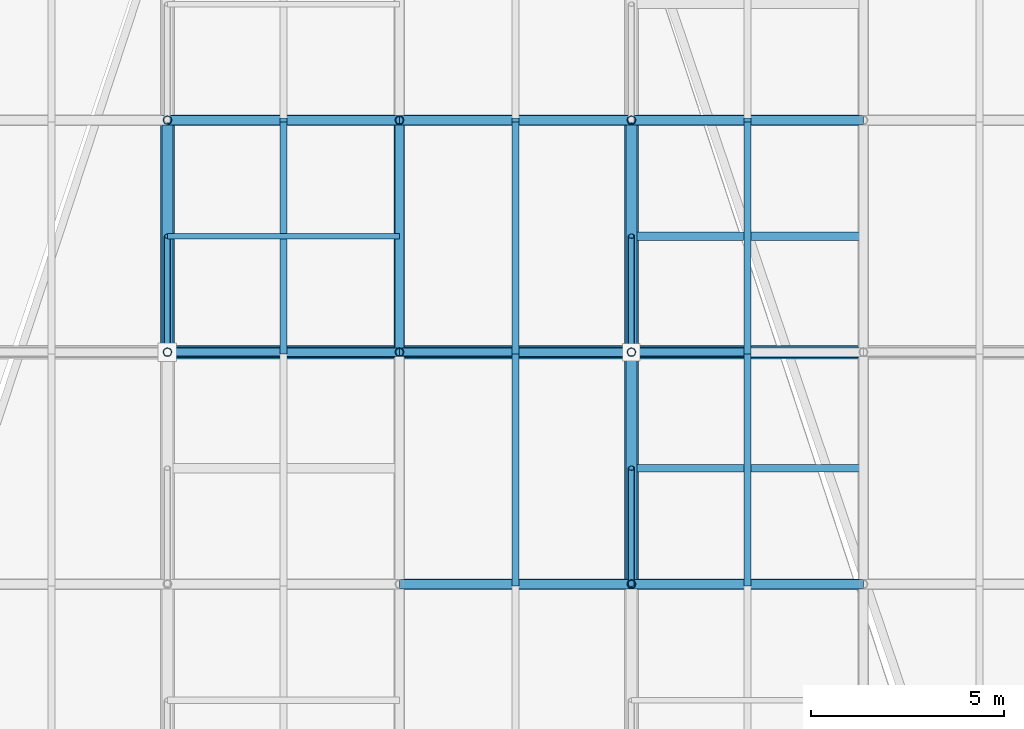
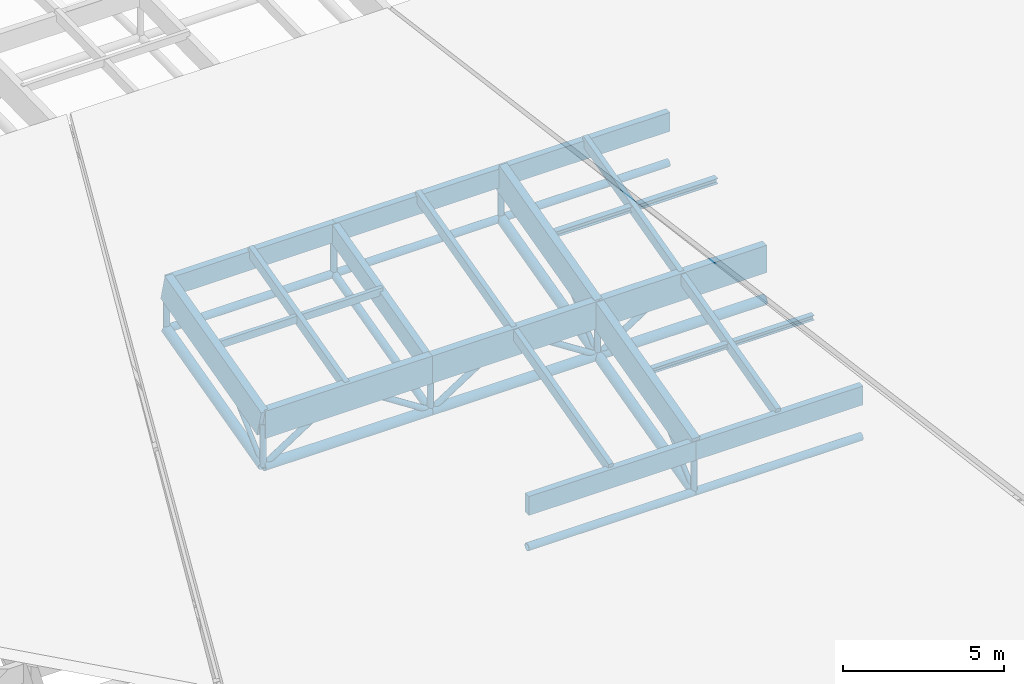
# One storey, part 13 of 80: 47 members.
"""IFC4 building model written with IfcOpenShell, lengths in metres."""

import ifcopenshell
import ifcopenshell.guid

model = None  # the IFC model being written
_history = None  # IfcOwnerHistory: only IFC2X3 demands one
_inside = {}  # id of a spatial element -> (the spatial element, [elements in it])
_under = {}  # id of a project, library or spatial element -> (it, [spatial elements below it])
_declared = {}  # id of a project -> (the project, [libraries it declares])
_typed = {}  # id of a type object -> (the type object, [elements of that type])
_made_of = {}  # id of a material, layer set ... -> (it, [elements and type objects made of it])


def new_model(schema):
    """Start an empty IFC model of exactly this schema.

    Asked for "IFC4X3", IfcOpenShell would pick the latest addendum, in which some entities
    have other attributes; the version numbers below select the first issue.
    IFC2X3 requires an IfcOwnerHistory on every rooted entity: one is made here for all.
    """
    global model, _history
    if schema == "IFC4X3":
        model = ifcopenshell.file(schema_version=(4, 3, 0, 0))
    else:
        model = ifcopenshell.file(schema=schema)
    _inside.clear()
    _under.clear()
    _declared.clear()
    _typed.clear()
    _made_of.clear()
    _history = None
    if model.schema == "IFC2X3":
        org = make("IfcOrganization", Name="unknown")
        user = make(
            "IfcPersonAndOrganization",
            ThePerson=make("IfcPerson", FamilyName="unknown"),
            TheOrganization=org,
        )
        app = make(
            "IfcApplication",
            ApplicationDeveloper=org,
            Version="unknown",
            ApplicationFullName="unknown",
            ApplicationIdentifier="unknown",
        )
        _history = make(
            "IfcOwnerHistory",
            OwningUser=user,
            OwningApplication=app,
            ChangeAction="ADDED",
            CreationDate=0,
        )
    return model


def make(cls, **values):
    """One entity of the class cls with the attributes given. An attribute that is None is left unset."""
    return model.create_entity(
        cls, **{name: value for name, value in values.items() if value is not None}
    )


def rooted(cls, **values):
    """An entity with a GlobalId (a new one), such as an element, a storey or a relation."""
    return make(cls, GlobalId=ifcopenshell.guid.new(), OwnerHistory=_history, **values)


def si_unit(unit_type, name, prefix=None):
    """IfcSIUnit, for example si_unit("LENGTHUNIT", "METRE", prefix="MILLI")."""
    return make("IfcSIUnit", UnitType=unit_type, Prefix=prefix, Name=name)


def assignment(units):
    """IfcUnitAssignment: the units of a project."""
    return None if units is None else make("IfcUnitAssignment", Units=units)


def point(xyz):
    """IfcCartesianPoint."""
    return None if xyz is None else make("IfcCartesianPoint", Coordinates=xyz)


def direction(xyz):
    """IfcDirection."""
    return None if xyz is None else make("IfcDirection", DirectionRatios=xyz)


def frame(location, z_axis=None, x_axis=None):
    """IfcAxis2Placement3D, a coordinate frame: its origin and axes. An axis left out is left unset."""
    return make(
        "IfcAxis2Placement3D",
        Location=point(location),
        Axis=direction(z_axis),
        RefDirection=direction(x_axis),
    )


def frame_2d(location, x_axis=None):
    """IfcAxis2Placement2D, a coordinate frame in the plane: its origin and x axis."""
    return make(
        "IfcAxis2Placement2D", Location=point(location), RefDirection=direction(x_axis)
    )


def origin():
    """The frame at (0, 0, 0) with its axes left unset."""
    return frame((0.0, 0.0, 0.0))


def origin_2d():
    """The frame at (0, 0) in the plane with its x axis left unset."""
    return frame_2d((0.0, 0.0))


def place(relative_to, where):
    """IfcLocalPlacement: puts the frame where relative to a parent placement (None: the world)."""
    return make(
        "IfcLocalPlacement", PlacementRelTo=relative_to, RelativePlacement=where
    )


def context(
    kind, dimensions, precision=None, world=None, true_north=None, identifier=None
):
    """IfcGeometricRepresentationContext, for example the 3D "Model" context."""
    return make(
        "IfcGeometricRepresentationContext",
        ContextIdentifier=identifier,
        ContextType=kind,
        CoordinateSpaceDimension=dimensions,
        Precision=precision,
        WorldCoordinateSystem=world,
        TrueNorth=true_north,
    )


def subcontext(parent, identifier, kind, view, scale=None):
    """IfcGeometricRepresentationSubContext, for example "Body" below "Model"."""
    return make(
        "IfcGeometricRepresentationSubContext",
        ContextIdentifier=identifier,
        ContextType=kind,
        ParentContext=parent,
        TargetScale=scale,
        TargetView=view,
    )


def project(units=None, contexts=None):
    """IfcProject with its units and contexts."""
    return rooted(
        "IfcProject",
        Name="project",
        RepresentationContexts=contexts,
        UnitsInContext=assignment(units),
    )


def spatial(cls, under=None, at=None, **own):
    """A site, building, storey or space (cls), placed at a placement, below another one or the project."""
    s = rooted(cls, ObjectPlacement=at, **own)
    if under is not None:
        _under.setdefault(under.id(), (under, []))[1].append(s)
    return s


def profile(cls, at=None, kind="AREA", **sizes):
    """A parametric profile (cls). Its sizes go by their IFC names, for example OverallWidth=200.0."""
    return make(cls, ProfileType=kind, Position=at, **sizes)


def rectangle(**sizes):
    """IfcRectangleProfileDef."""
    return profile("IfcRectangleProfileDef", **sizes)


def hollow_circle(**sizes):
    """IfcCircleHollowProfileDef."""
    return profile("IfcCircleHollowProfileDef", **sizes)


def i_section(**sizes):
    """IfcIShapeProfileDef."""
    return profile("IfcIShapeProfileDef", **sizes)


def extrude(swept, where, along, depth):
    """IfcExtrudedAreaSolid: the profile swept, set in the frame where, extruded along a direction by depth."""
    return make(
        "IfcExtrudedAreaSolid",
        SweptArea=swept,
        Position=where,
        ExtrudedDirection=direction(along),
        Depth=depth,
    )


def shape(context_of_items, identifier, shape_type, items):
    """IfcShapeRepresentation: the items that make up one representation, for example the "Body"."""
    return make(
        "IfcShapeRepresentation",
        ContextOfItems=context_of_items,
        RepresentationIdentifier=identifier,
        RepresentationType=shape_type,
        Items=items,
    )


def material(Name=None, Category=None):
    """IfcMaterial."""
    return make("IfcMaterial", Name=Name, Category=Category)


def material_profile(
    of_material, cross_section, Name=None, Category=None, Priority=None
):
    """IfcMaterialProfile: a cross section and its material."""
    return make(
        "IfcMaterialProfile",
        Name=Name,
        Material=of_material,
        Profile=cross_section,
        Priority=Priority,
        Category=Category,
    )


def profile_set(profiles, Name=None, composite=None):
    """IfcMaterialProfileSet."""
    return make(
        "IfcMaterialProfileSet",
        Name=Name,
        MaterialProfiles=profiles,
        CompositeProfile=composite,
    )


def made_of(thing, what):
    """Note that an element or type object is made of a material, layer set ...; save() writes the relation."""
    if what is not None:
        _made_of.setdefault(what.id(), (what, []))[1].append(thing)
    return thing


def type_object(cls, material=None, **own):
    """A type object (cls), such as IfcWallType, which elements share."""
    return made_of(rooted(cls, **own), material)


def element(
    cls,
    number,
    at=None,
    inside=None,
    cuts=None,
    type_object=None,
    material=None,
    context=None,
    identifier="Body",
    shape_type=None,
    held_by="IfcProductDefinitionShape",
    body=None,
    shapes=None,
    **own,
):
    """One element of the class cls, such as IfcWall. Its Tag is "e" and its number.

    at: its placement. inside: the storey or other place that contains it. cuts: it is an
    opening in that element (IfcRelVoidsElement). A single representation is given by context,
    identifier, shape_type and body (its items); several are given by shapes. held_by: the class
    of the entity that holds the representations. save() writes the other relations.
    """
    e = rooted(cls, Tag="e%d" % number, ObjectPlacement=at, **own)
    if body is not None:
        shapes = [shape(context, identifier, shape_type, body)]
    if shapes is not None:
        e.Representation = make(held_by, Representations=shapes)
    if inside is not None:
        _inside.setdefault(inside.id(), (inside, []))[1].append(e)
    if cuts is not None:
        rooted(
            "IfcRelVoidsElement", RelatingBuildingElement=cuts, RelatedOpeningElement=e
        )
    if type_object is not None:
        _typed.setdefault(type_object.id(), (type_object, []))[1].append(e)
    return made_of(e, material)


def aggregate(whole, parts):
    """IfcRelAggregates: a whole, such as a stair, and the parts it consists of."""
    return rooted("IfcRelAggregates", RelatingObject=whole, RelatedObjects=parts)


def save(model, path):
    """Write the relations noted so far, then the file.

    IfcRelAggregates (storeys below a building ...), IfcRelContainedInSpatialStructure (elements
    in a storey), IfcRelDefinesByType, IfcRelAssociatesMaterial and IfcRelDeclares: one each for
    every whole, place, type object, material and project.
    """
    for whole, parts in _under.values():
        aggregate(whole, parts)
    for where, things in _inside.values():
        rooted(
            "IfcRelContainedInSpatialStructure",
            RelatedElements=things,
            RelatingStructure=where,
        )
    for kind, things in _typed.values():
        rooted("IfcRelDefinesByType", RelatedObjects=things, RelatingType=kind)
    for what, things in _made_of.values():
        rooted("IfcRelAssociatesMaterial", RelatedObjects=things, RelatingMaterial=what)
    for by, libraries in _declared.values():
        rooted("IfcRelDeclares", RelatingContext=by, RelatedDefinitions=libraries)
    model.write(path)


model = new_model("IFC4")

# Units and contexts
model_context = context("Model", 3, precision=1e-05, world=origin(), true_north=direction((0.0, 1.0)))
body_context = subcontext(model_context, "Body", "Model", "MODEL_VIEW")
ifc_project = project(units=[si_unit("LENGTHUNIT", "METRE"), si_unit("AREAUNIT", "SQUARE_METRE"), si_unit("VOLUMEUNIT", "CUBIC_METRE"), si_unit("PLANEANGLEUNIT", "RADIAN"), si_unit("MASSUNIT", "GRAM", prefix="KILO"), si_unit("THERMODYNAMICTEMPERATUREUNIT", "KELVIN"), si_unit("POWERUNIT", "WATT")], contexts=[model_context])

# Site, building, storey
site_placement = place(None, origin())
site = spatial("IfcSite", under=ifc_project, at=site_placement, CompositionType="ELEMENT")
building_placement = place(site_placement, origin())
building = spatial("IfcBuilding", under=site, at=building_placement, Name="Solmara Park Aquatics Centre", CompositionType="ELEMENT")
storey_placement = place(building_placement, frame((0.0, 0.0, 22.800048828125)))
storey = spatial("IfcBuildingStorey", under=building, at=storey_placement, Name="RF", CompositionType="ELEMENT", Elevation=22.800048828125)

# Members
ifc_material_1 = material(Name="Structural Steel S355", Category="steel")
ifc_material_profile_1 = material_profile(ifc_material_1, hollow_circle(Radius=0.084228515625, WallThickness=0.008056640625, at=origin_2d()), Name="CHS 168.3x8")
ifc_profile_set_1 = profile_set([ifc_material_profile_1], Name="Structural Steel S355")
member_type_1 = type_object("IfcMemberType", Name="STR-BRC-CHS168", PredefinedType="BRACE", material=ifc_profile_set_1)
for number, where, z_axis, x_axis, name in (
    (1, (60.60009765625, 18.60009765625, -9.58984375), (0.0, 0.736437262703, 0.67650584484), (-1.0, 0.0, 0.0), "Roof Truss Web Diagonal Y 1920"),
    (2, (48.60009765625, 24.60009765625, -8.0380859375), (0.0, 0.736437262703, 0.67650584484), (-1.0, 0.0, 0.0), "Roof Truss Web Diagonal Y 1943"),
    (3, (60.60009765625, 24.60009765625, -8.0380859375), (0.0, 0.736437262703, 0.67650584484), (-1.0, 0.0, 0.0), "Roof Truss Web Diagonal Y 1944"),
):
    element("IfcMember", number, at=place(storey_placement, frame(where, z_axis=z_axis, x_axis=x_axis)), inside=storey, type_object=member_type_1, Name=name, PredefinedType="BRACE", context=body_context, shape_type="SweptSolid", body=[
        extrude(hollow_circle(Radius=0.084228515625, WallThickness=0.008056640625, at=origin_2d()), origin(), (0.0, 0.0, 1.0), 4.07373046875),
    ])
ifc_material_profile_2 = material_profile(ifc_material_1, hollow_circle(Radius=0.109619140625, WallThickness=0.010009765625, at=origin_2d()), Name="CHS 219.1x10")
ifc_profile_set_2 = profile_set([ifc_material_profile_2], Name="Structural Steel S355")
member_type_2 = type_object("IfcMemberType", Name="STR-BRC-CHS219", PredefinedType="BRACE", material=ifc_profile_set_2)
for number, where, z_axis, x_axis, name in (
    (4, (48.60009765625, 24.60009765625, -8.0380859375), (0.83972779743, 0.0, 0.543007574738), (0.0, 1.0, 0.0), "Roof Truss Web Diagonal X 1581"),
    (5, (54.60009765625, 24.60009765625, -8.0380859375), (-0.83972779743, 0.0, 0.543007574738), (0.0, -1.0, 0.0), "Roof Truss Web Diagonal X 1582"),
    (6, (54.60009765625, 24.60009765625, -8.0380859375), (0.83972779743, 0.0, 0.543007574738), (0.0, 1.0, 0.0), "Roof Truss Web Diagonal X 1611"),
    (7, (60.60009765625, 24.60009765625, -8.0380859375), (-0.83972779743, 0.0, 0.543007574738), (0.0, -1.0, 0.0), "Roof Truss Web Diagonal X 1612"),
    (8, (60.60009765625, 24.60009765625, -8.0380859375), (0.83972779743, 0.0, 0.543007574738), (0.0, 1.0, 0.0), "Roof Truss Web Diagonal X 1641"),
):
    element("IfcMember", number, at=place(storey_placement, frame(where, z_axis=z_axis, x_axis=x_axis)), inside=storey, type_object=member_type_2, Name=name, PredefinedType="BRACE", context=body_context, shape_type="SweptSolid", body=[
        extrude(hollow_circle(Radius=0.109619140625, WallThickness=0.010009765625, at=origin_2d()), origin(), (0.0, 0.0, 1.0), 3.572509765625),
    ])
ifc_material_profile_3 = material_profile(ifc_material_1, hollow_circle(Radius=0.136474609375, WallThickness=0.012451171875, at=origin_2d()), Name="CHS 273x12.5")
ifc_profile_set_3 = profile_set([ifc_material_profile_3], Name="Structural Steel S355")
member_type_3 = type_object("IfcMemberType", Name="STR-CHD-CHS273", PredefinedType="CHORD", material=ifc_profile_set_3)
for number, where, z_axis, x_axis, name in (
    (9, (54.60009765625, 18.60009765625, -9.58984375), (1.0, 0.0, 0.0), (0.0, 1.0, 0.0), "Steel Roof Truss Bottom Chord X 0128"),
    (10, (60.60009765625, 18.60009765625, -9.58984375), (1.0, 0.0, 0.0), (0.0, 1.0, 0.0), "Steel Roof Truss Bottom Chord X 0130"),
    (11, (48.60009765625, 30.60009765625, -6.486328125), (1.0, 0.0, 0.0), (0.0, 1.0, 0.0), "Steel Roof Truss Bottom Chord X 0198"),
    (12, (54.60009765625, 30.60009765625, -6.486328125), (1.0, 0.0, 0.0), (0.0, 1.0, 0.0), "Steel Roof Truss Bottom Chord X 0200"),
    (13, (60.60009765625, 30.60009765625, -6.486328125), (1.0, 0.0, 0.0), (0.0, 1.0, 0.0), "Steel Roof Truss Bottom Chord X 0202"),
):
    element("IfcMember", number, at=place(storey_placement, frame(where, z_axis=z_axis, x_axis=x_axis)), inside=storey, type_object=member_type_3, Name=name, PredefinedType="CHORD", context=body_context, shape_type="SweptSolid", body=[
        extrude(hollow_circle(Radius=0.136474609375, WallThickness=0.012451171875, at=origin_2d()), origin(), (0.0, 0.0, 1.0), 6.0),
    ])
member_1_placement = place(storey_placement, frame((54.60009765625, 24.60009765625, -8.0380859375), z_axis=(0.0, 0.968145594442, 0.250387914969), x_axis=(-1.0, 0.0, 0.0)))
element("IfcMember", 14, at=member_1_placement, inside=storey, type_object=member_type_3, Name="Steel Roof Truss Bottom Chord Y 0802", PredefinedType="CHORD", context=body_context, shape_type="SweptSolid", body=[
    extrude(hollow_circle(Radius=0.136474609375, WallThickness=0.012451171875, at=origin_2d()), origin(), (0.0, 0.0, 1.0), 6.197509765625),
])
ifc_material_profile_4 = material_profile(ifc_material_1, hollow_circle(Radius=0.177734375, WallThickness=0.01611328125, at=origin_2d()), Name="CHS 355.6x16")
ifc_profile_set_4 = profile_set([ifc_material_profile_4], Name="Structural Steel S355")
member_type_4 = type_object("IfcMemberType", Name="STR-CHD-CHS355", PredefinedType="CHORD", material=ifc_profile_set_4)
for number, where, z_axis, x_axis, name in (
    (15, (48.60009765625, 24.60009765625, -8.0380859375), (1.0, 0.0, 0.0), (0.0, 1.0, 0.0), "Steel Roof Truss Bottom Chord X 0162"),
    (16, (54.60009765625, 24.60009765625, -8.0380859375), (1.0, 0.0, 0.0), (0.0, 1.0, 0.0), "Steel Roof Truss Bottom Chord X 0164"),
    (17, (60.60009765625, 24.60009765625, -8.0380859375), (1.0, 0.0, 0.0), (0.0, 1.0, 0.0), "Steel Roof Truss Bottom Chord X 0166"),
):
    element("IfcMember", number, at=place(storey_placement, frame(where, z_axis=z_axis, x_axis=x_axis)), inside=storey, type_object=member_type_4, Name=name, PredefinedType="CHORD", context=body_context, shape_type="SweptSolid", body=[
        extrude(hollow_circle(Radius=0.177734375, WallThickness=0.01611328125, at=origin_2d()), origin(), (0.0, 0.0, 1.0), 6.0),
    ])
for number, where, z_axis, x_axis, name in (
    (18, (48.60009765625, 24.60009765625, -8.0380859375), (0.0, 0.968145594442, 0.250387914969), (-1.0, 0.0, 0.0), "Steel Roof Truss Bottom Chord Y 0774"),
    (19, (60.60009765625, 18.60009765625, -9.58984375), (0.0, 0.968145594442, 0.250387914969), (-1.0, 0.0, 0.0), "Steel Roof Truss Bottom Chord Y 0828"),
    (20, (60.60009765625, 24.60009765625, -8.0380859375), (0.0, 0.968145594442, 0.250387914969), (-1.0, 0.0, 0.0), "Steel Roof Truss Bottom Chord Y 0830"),
):
    element("IfcMember", number, at=place(storey_placement, frame(where, z_axis=z_axis, x_axis=x_axis)), inside=storey, type_object=member_type_4, Name=name, PredefinedType="CHORD", context=body_context, shape_type="SweptSolid", body=[
        extrude(hollow_circle(Radius=0.177734375, WallThickness=0.01611328125, at=origin_2d()), origin(), (0.0, 0.0, 1.0), 6.197509765625),
    ])
ifc_material_2 = material(Name="Glulam Timber GL28h", Category="wood")
ifc_material_profile_5 = material_profile(ifc_material_2, rectangle(XDim=0.239990234375, YDim=0.719970703125, at=origin_2d()), Name="GL28h 240x720")
ifc_profile_set_5 = profile_set([ifc_material_profile_5], Name="Glulam Timber GL28h")
member_type_5 = type_object("IfcMemberType", Name="STR-CHD-GL240x720", PredefinedType="CHORD", material=ifc_profile_set_5)
for number, where, z_axis, x_axis, name in (
    (21, (54.60009765625, 18.60009765625, -7.9697265625), (1.0, 0.0, 0.0), (0.0, 1.0, 0.0), "Glulam Roof Truss Top Chord X 0127"),
    (22, (60.60009765625, 18.60009765625, -7.9697265625), (1.0, 0.0, 0.0), (0.0, 1.0, 0.0), "Glulam Roof Truss Top Chord X 0129"),
    (23, (48.60009765625, 30.60009765625, -4.866455078125), (1.0, 0.0, 0.0), (0.0, 1.0, 0.0), "Glulam Roof Truss Top Chord X 0197"),
    (24, (54.60009765625, 30.60009765625, -4.866455078125), (1.0, 0.0, 0.0), (0.0, 1.0, 0.0), "Glulam Roof Truss Top Chord X 0199"),
    (25, (60.60009765625, 30.60009765625, -4.866455078125), (1.0, 0.0, 0.0), (0.0, 1.0, 0.0), "Glulam Roof Truss Top Chord X 0201"),
):
    element("IfcMember", number, at=place(storey_placement, frame(where, z_axis=z_axis, x_axis=x_axis)), inside=storey, type_object=member_type_5, Name=name, PredefinedType="CHORD", context=body_context, shape_type="SweptSolid", body=[
        extrude(rectangle(XDim=0.239990234375, YDim=0.719970703125, at=origin_2d()), origin(), (0.0, 0.0, 1.0), 6.0),
    ])
member_2_placement = place(storey_placement, frame((54.60009765625, 24.60009765625, -6.41796875), z_axis=(0.0, 0.968155143395, 0.250350990246), x_axis=(-1.0, 0.0, 0.0)))
element("IfcMember", 26, at=member_2_placement, inside=storey, type_object=member_type_5, Name="Glulam Roof Truss Top Chord Y 0801", PredefinedType="CHORD", context=body_context, shape_type="SweptSolid", body=[
    extrude(rectangle(XDim=0.239990234375, YDim=0.719970703125, at=origin_2d()), origin(), (0.0, 0.0, 1.0), 6.197265625),
])
ifc_material_profile_6 = material_profile(ifc_material_2, rectangle(XDim=0.280029296875, YDim=1.0400390625, at=origin_2d()), Name="GL28h 280x1040")
ifc_profile_set_6 = profile_set([ifc_material_profile_6], Name="Glulam Timber GL28h")
member_type_6 = type_object("IfcMemberType", Name="STR-CHD-GL280x1040", PredefinedType="CHORD", material=ifc_profile_set_6)
for number, where, z_axis, x_axis, name in (
    (27, (48.60009765625, 24.60009765625, -6.41796875), (1.0, 0.0, 0.0), (0.0, 1.0, 0.0), "Glulam Roof Truss Top Chord X 0161"),
    (28, (54.60009765625, 24.60009765625, -6.41796875), (1.0, 0.0, 0.0), (0.0, 1.0, 0.0), "Glulam Roof Truss Top Chord X 0163"),
    (29, (60.60009765625, 24.60009765625, -6.41796875), (1.0, 0.0, 0.0), (0.0, 1.0, 0.0), "Glulam Roof Truss Top Chord X 0165"),
):
    element("IfcMember", number, at=place(storey_placement, frame(where, z_axis=z_axis, x_axis=x_axis)), inside=storey, type_object=member_type_6, Name=name, PredefinedType="CHORD", context=body_context, shape_type="SweptSolid", body=[
        extrude(rectangle(XDim=0.280029296875, YDim=1.0400390625, at=origin_2d()), origin(), (0.0, 0.0, 1.0), 6.0),
    ])
member_3_placement = place(storey_placement, frame((48.60009765625, 24.60009765625, -6.41796875), z_axis=(0.0, 0.968155143395, 0.250350990246), x_axis=(-1.0, 0.0, 0.0)))
element("IfcMember", 30, at=member_3_placement, inside=storey, type_object=member_type_6, Name="Glulam Roof Truss Top Chord Y 0773", PredefinedType="CHORD", context=body_context, shape_type="SweptSolid", body=[
    extrude(rectangle(XDim=0.280029296875, YDim=1.0400390625, at=origin_2d()), origin(), (0.0, 0.0, 1.0), 6.197265625),
])
member_4_placement = place(storey_placement, frame((60.60009765625, 18.60009765625, -7.9697265625), z_axis=(0.0, 0.968145594442, 0.250387914969), x_axis=(-1.0, 0.0, 0.0)))
element("IfcMember", 31, at=member_4_placement, inside=storey, type_object=member_type_6, Name="Glulam Roof Truss Top Chord Y 0827", PredefinedType="CHORD", context=body_context, shape_type="SweptSolid", body=[
    extrude(rectangle(XDim=0.280029296875, YDim=1.0400390625, at=origin_2d()), origin(), (0.0, 0.0, 1.0), 6.197509765625),
])
member_5_placement = place(storey_placement, frame((60.60009765625, 24.60009765625, -6.41796875), z_axis=(0.0, 0.968155143395, 0.250350990246), x_axis=(-1.0, 0.0, 0.0)))
element("IfcMember", 32, at=member_5_placement, inside=storey, type_object=member_type_6, Name="Glulam Roof Truss Top Chord Y 0829", PredefinedType="CHORD", context=body_context, shape_type="SweptSolid", body=[
    extrude(rectangle(XDim=0.280029296875, YDim=1.0400390625, at=origin_2d()), origin(), (0.0, 0.0, 1.0), 6.197265625),
])
ifc_material_profile_7 = material_profile(ifc_material_2, rectangle(XDim=0.139892578125, YDim=0.280029296875, at=origin_2d()), Name="GL28h 140x280")
ifc_profile_set_7 = profile_set([ifc_material_profile_7], Name="Glulam Timber GL28h")
member_type_7 = type_object("IfcMemberType", Name="STR-PRL-GL140x280", PredefinedType="PURLIN", material=ifc_profile_set_7)
member_6_placement = place(storey_placement, frame((48.60009765625, 27.60009765625, -5.30224609375), z_axis=(1.0, 0.0, 0.0), x_axis=(0.0, 1.0, 0.0)))
element("IfcMember", 33, at=member_6_placement, inside=storey, type_object=member_type_7, Name="Glulam Secondary Roof Purlin 1931", PredefinedType="PURLIN", context=body_context, shape_type="SweptSolid", body=[
    extrude(rectangle(XDim=0.139892578125, YDim=0.280029296875, at=origin_2d()), origin(), (0.0, 0.0, 1.0), 6.0),
])
ifc_material_profile_8 = material_profile(ifc_material_2, rectangle(XDim=0.179931640625, YDim=0.39990234375, at=origin_2d()), Name="GL28h 180x400")
ifc_profile_set_8 = profile_set([ifc_material_profile_8], Name="Glulam Timber GL28h")
member_type_8 = type_object("IfcMemberType", Name="STR-PRL-GL180x400", PredefinedType="PURLIN", material=ifc_profile_set_8)
member_7_placement = place(storey_placement, frame((51.60009765625, 24.60009765625, -6.09814453125), z_axis=(0.0, 0.968145594442, 0.250387914969), x_axis=(-1.0, 0.0, 0.0)))
element("IfcMember", 34, at=member_7_placement, inside=storey, type_object=member_type_8, Name="Glulam Roof Purlin 1567", PredefinedType="PURLIN", context=body_context, shape_type="SweptSolid", body=[
    extrude(rectangle(XDim=0.179931640625, YDim=0.39990234375, at=origin_2d()), origin(), (0.0, 0.0, 1.0), 6.197509765625),
])
member_8_placement = place(storey_placement, frame((57.60009765625, 18.60009765625, -7.649658203125), z_axis=(0.0, 0.968155143395, 0.250350990246), x_axis=(-1.0, 0.0, 0.0)))
element("IfcMember", 35, at=member_8_placement, inside=storey, type_object=member_type_8, Name="Glulam Roof Purlin 1596", PredefinedType="PURLIN", context=body_context, shape_type="SweptSolid", body=[
    extrude(rectangle(XDim=0.179931640625, YDim=0.39990234375, at=origin_2d()), origin(), (0.0, 0.0, 1.0), 6.197265625),
])
member_9_placement = place(storey_placement, frame((57.60009765625, 24.60009765625, -6.09814453125), z_axis=(0.0, 0.968145594442, 0.250387914969), x_axis=(-1.0, 0.0, 0.0)))
element("IfcMember", 36, at=member_9_placement, inside=storey, type_object=member_type_8, Name="Glulam Roof Purlin 1597", PredefinedType="PURLIN", context=body_context, shape_type="SweptSolid", body=[
    extrude(rectangle(XDim=0.179931640625, YDim=0.39990234375, at=origin_2d()), origin(), (0.0, 0.0, 1.0), 6.197509765625),
])
member_10_placement = place(storey_placement, frame((63.60009765625, 18.60009765625, -7.649658203125), z_axis=(0.0, 0.968155143395, 0.250350990246), x_axis=(-1.0, 0.0, 0.0)))
element("IfcMember", 37, at=member_10_placement, inside=storey, type_object=member_type_8, Name="Glulam Roof Purlin 1626", PredefinedType="PURLIN", context=body_context, shape_type="SweptSolid", body=[
    extrude(rectangle(XDim=0.179931640625, YDim=0.39990234375, at=origin_2d()), origin(), (0.0, 0.0, 1.0), 6.197265625),
])
member_11_placement = place(storey_placement, frame((63.60009765625, 24.60009765625, -6.09814453125), z_axis=(0.0, 0.968145594442, 0.250387914969), x_axis=(-1.0, 0.0, 0.0)))
element("IfcMember", 38, at=member_11_placement, inside=storey, type_object=member_type_8, Name="Glulam Roof Purlin 1627", PredefinedType="PURLIN", context=body_context, shape_type="SweptSolid", body=[
    extrude(rectangle(XDim=0.179931640625, YDim=0.39990234375, at=origin_2d()), origin(), (0.0, 0.0, 1.0), 6.197509765625),
])
ifc_material_profile_9 = material_profile(ifc_material_1, i_section(OverallWidth=0.199951171875, OverallDepth=0.18994140625, WebThickness=0.006591796875, FlangeThickness=0.010009765625, FilletRadius=0.01806640625, at=origin_2d()), Name="HEA 200")
ifc_profile_set_9 = profile_set([ifc_material_profile_9], Name="Structural Steel S355")
member_type_9 = type_object("IfcMemberType", Name="STR-PRL-HEA200", PredefinedType="PURLIN", material=ifc_profile_set_9)
member_12_placement = place(storey_placement, frame((60.60009765625, 21.60009765625, -6.85400390625), z_axis=(1.0, 0.0, 0.0), x_axis=(0.0, 1.0, 0.0)))
element("IfcMember", 39, at=member_12_placement, inside=storey, type_object=member_type_9, Name="Glulam Secondary Roof Purlin 1909", PredefinedType="PURLIN", context=body_context, shape_type="SweptSolid", body=[
    extrude(i_section(OverallWidth=0.199951171875, OverallDepth=0.18994140625, WebThickness=0.006591796875, FlangeThickness=0.010009765625, FilletRadius=0.01806640625, at=origin_2d()), origin(), (0.0, 0.0, 1.0), 6.0),
])
ifc_material_profile_10 = material_profile(ifc_material_1, i_section(OverallWidth=0.219970703125, OverallDepth=0.2099609375, WebThickness=0.007080078125, FlangeThickness=0.010986328125, FilletRadius=0.01806640625, at=origin_2d()), Name="HEA 220")
ifc_profile_set_10 = profile_set([ifc_material_profile_10], Name="Structural Steel S355")
member_type_10 = type_object("IfcMemberType", Name="STR-PRL-HEA220", PredefinedType="PURLIN", material=ifc_profile_set_10)
member_13_placement = place(storey_placement, frame((60.60009765625, 27.60009765625, -5.30224609375), z_axis=(1.0, 0.0, 0.0), x_axis=(0.0, 1.0, 0.0)))
element("IfcMember", 40, at=member_13_placement, inside=storey, type_object=member_type_10, Name="Glulam Secondary Roof Purlin 1932", PredefinedType="PURLIN", context=body_context, shape_type="SweptSolid", body=[
    extrude(i_section(OverallWidth=0.219970703125, OverallDepth=0.2099609375, WebThickness=0.007080078125, FlangeThickness=0.010986328125, FilletRadius=0.01806640625, at=origin_2d()), origin(), (0.0, 0.0, 1.0), 6.0),
])
ifc_material_profile_11 = material_profile(ifc_material_1, hollow_circle(Radius=0.109619140625, WallThickness=0.010009765625, at=origin_2d()), Name="CHS 219.1x10")
ifc_profile_set_11 = profile_set([ifc_material_profile_11], Name="Structural Steel S355")
member_type_11 = type_object("IfcMemberType", Name="STR-PST-CHS219", PredefinedType="POST", material=ifc_profile_set_11)
member_14_placement = place(storey_placement, frame((48.60009765625, 24.60009765625, -8.0380859375), z_axis=(0.0, 0.0, 1.0), x_axis=(1.0, 0.0, 0.0)))
element("IfcMember", 41, at=member_14_placement, inside=storey, type_object=member_type_11, Name="Roof Truss Web Post 1190", PredefinedType="POST", context=body_context, shape_type="SweptSolid", body=[
    extrude(hollow_circle(Radius=0.109619140625, WallThickness=0.010009765625, at=origin_2d()), origin(), (0.0, 0.0, 1.0), 1.6201171875),
])
member_15_placement = place(storey_placement, frame((48.60009765625, 30.60009765625, -6.486328125), z_axis=(0.0, 0.0, 1.0), x_axis=(1.0, 0.0, 0.0)))
element("IfcMember", 42, at=member_15_placement, inside=storey, type_object=member_type_11, Name="Roof Truss Web Post 1191", PredefinedType="POST", context=body_context, shape_type="SweptSolid", body=[
    extrude(hollow_circle(Radius=0.109619140625, WallThickness=0.010009765625, at=origin_2d()), origin(), (0.0, 0.0, 1.0), 1.619873046875),
])
member_16_placement = place(storey_placement, frame((54.60009765625, 24.60009765625, -8.0380859375), z_axis=(0.0, 0.0, 1.0), x_axis=(1.0, 0.0, 0.0)))
element("IfcMember", 43, at=member_16_placement, inside=storey, type_object=member_type_11, Name="Roof Truss Web Post 1205", PredefinedType="POST", context=body_context, shape_type="SweptSolid", body=[
    extrude(hollow_circle(Radius=0.109619140625, WallThickness=0.010009765625, at=origin_2d()), origin(), (0.0, 0.0, 1.0), 1.6201171875),
])
member_17_placement = place(storey_placement, frame((54.60009765625, 30.60009765625, -6.486328125), z_axis=(0.0, 0.0, 1.0), x_axis=(1.0, 0.0, 0.0)))
element("IfcMember", 44, at=member_17_placement, inside=storey, type_object=member_type_11, Name="Roof Truss Web Post 1206", PredefinedType="POST", context=body_context, shape_type="SweptSolid", body=[
    extrude(hollow_circle(Radius=0.109619140625, WallThickness=0.010009765625, at=origin_2d()), origin(), (0.0, 0.0, 1.0), 1.619873046875),
])
for number, where, z_axis, x_axis, name in (
    (45, (60.60009765625, 18.60009765625, -9.58984375), (0.0, 0.0, 1.0), (1.0, 0.0, 0.0), "Roof Truss Web Post 1219"),
    (46, (60.60009765625, 24.60009765625, -8.0380859375), (0.0, 0.0, 1.0), (1.0, 0.0, 0.0), "Roof Truss Web Post 1220"),
):
    element("IfcMember", number, at=place(storey_placement, frame(where, z_axis=z_axis, x_axis=x_axis)), inside=storey, type_object=member_type_11, Name=name, PredefinedType="POST", context=body_context, shape_type="SweptSolid", body=[
        extrude(hollow_circle(Radius=0.109619140625, WallThickness=0.010009765625, at=origin_2d()), origin(), (0.0, 0.0, 1.0), 1.6201171875),
    ])
member_18_placement = place(storey_placement, frame((60.60009765625, 30.60009765625, -6.486328125), z_axis=(0.0, 0.0, 1.0), x_axis=(1.0, 0.0, 0.0)))
element("IfcMember", 47, at=member_18_placement, inside=storey, type_object=member_type_11, Name="Roof Truss Web Post 1221", PredefinedType="POST", context=body_context, shape_type="SweptSolid", body=[
    extrude(hollow_circle(Radius=0.109619140625, WallThickness=0.010009765625, at=origin_2d()), origin(), (0.0, 0.0, 1.0), 1.619873046875),
])

save(model, "model.ifc")
